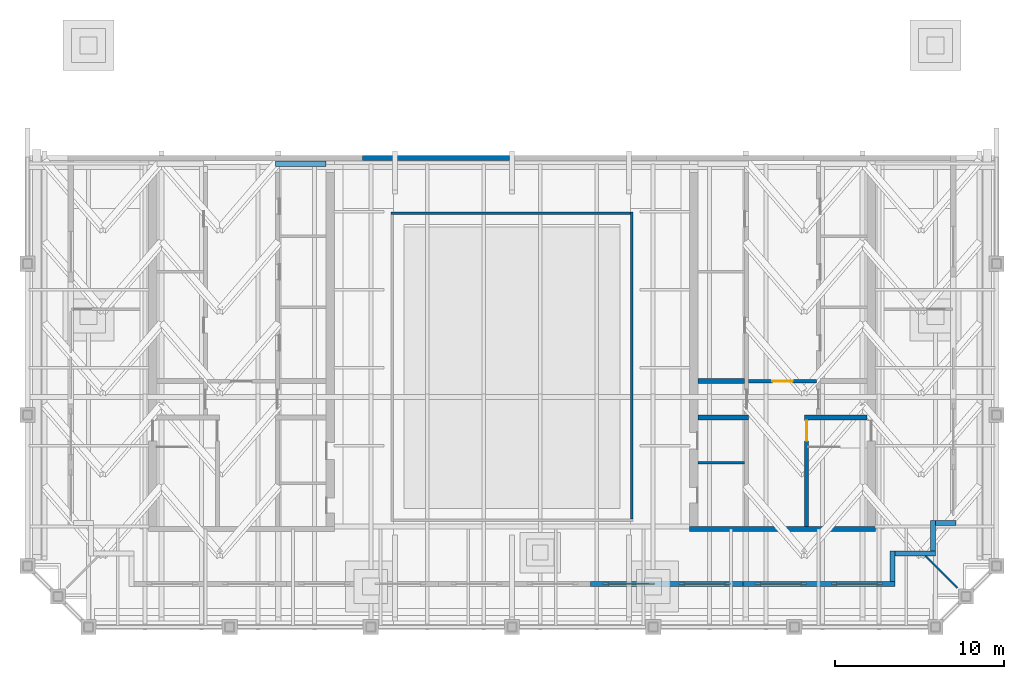
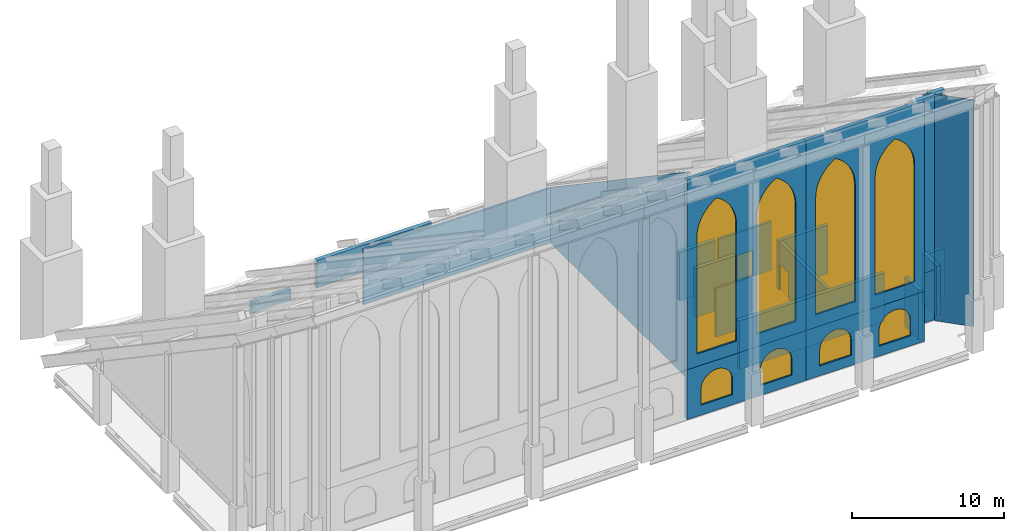
# One storey, part 6 of 9: 24 walls, 8 windows, 2 doors, 10 openings.
"""IFC4 building model written with IfcOpenShell, lengths in metres."""

from ifc_helpers import new_model, si_unit, direction, frame, frame_2d, origin, place, context, subcontext, project, spatial, polyline, rectangle, outline, extrude, material, layer, layer_set, type_object, element, fill, save


model = new_model("IFC4")

# Units and contexts
model_context = context("Model", 3, precision=1e-05, world=origin(), true_north=direction((0.0, 1.0)))
body_context = subcontext(model_context, "Body", "Model", "MODEL_VIEW")
ifc_project = project(units=[si_unit("LENGTHUNIT", "METRE"), si_unit("AREAUNIT", "SQUARE_METRE"), si_unit("VOLUMEUNIT", "CUBIC_METRE"), si_unit("PLANEANGLEUNIT", "RADIAN"), si_unit("MASSUNIT", "GRAM", prefix="KILO")], contexts=[model_context])

# Site, building, storey
site_placement = place(None, origin())
site = spatial("IfcSite", under=ifc_project, at=site_placement, CompositionType="ELEMENT")
building_placement = place(site_placement, origin())
building = spatial("IfcBuilding", under=site, at=building_placement, Name="Ogive Exchange Tower", CompositionType="ELEMENT")
storey_placement = place(building_placement, frame((0.0, 0.0, 394.199951171875)))
storey = spatial("IfcBuildingStorey", under=building, at=storey_placement, Name="C07", CompositionType="ELEMENT", Elevation=394.199951171875)

# Walls
ifc_material_1 = material(Name="Gypsum board partition")
ifc_layer_1 = layer(ifc_material_1, 0.14990234375)
ifc_layer_set_1 = layer_set([ifc_layer_1], Name="Core room partition 150 gypsum")
wall_type_1 = type_object("IfcWallType", Name="Core room partition 150 gypsum", PredefinedType="PARTITIONING", material=ifc_layer_set_1)
wall_1_placement = place(storey_placement, frame((11.0, 1.300048828125, 0.0), z_axis=(0.0, 0.0, 1.0), x_axis=(1.0, 0.0, 0.0)))
element("IfcWall", 1, at=wall_1_placement, inside=storey, type_object=wall_type_1, Name="E south room partition", PredefinedType="PARTITIONING", context=body_context, shape_type="SweptSolid", body=[
    extrude(rectangle(XDim=2.75, YDim=0.14990234375, at=frame_2d((1.375, 0.0))), origin(), (0.0, 0.0, 1.0), 3.900146484375),
])
ifc_layer_2 = layer(ifc_material_1, 0.300048828125)
ifc_layer_set_2 = layer_set([ifc_layer_2], Name="Core room partition 300 gypsum")
wall_type_2 = type_object("IfcWallType", Name="Core room partition 300 gypsum", PredefinedType="PARTITIONING", material=ifc_layer_set_2)
wall_2_placement = place(storey_placement, frame((-14.0, 19.0, 0.0), z_axis=(0.0, 0.0, 1.0), x_axis=(1.0, 0.0, 0.0)))
element("IfcWall", 2, at=wall_2_placement, inside=storey, type_object=wall_type_2, Name="W row B room end wall 7", PredefinedType="PARTITIONING", context=body_context, shape_type="SweptSolid", body=[
    extrude(outline(polyline([(0.0, 0.0), (3.0, 0.0), (3.0, 0.857666015625), (0.0, 0.857666015625), (0.0, 0.0)])), frame((0.0, 0.14990234375, 0.0), z_axis=(0.0, -1.0, 0.0), x_axis=(1.0, 0.0, 0.0)), (0.0, 0.0, 1.0), 0.300048828125),
])
ifc_material_2 = material(Name="Fire-resisting glass in steel frame", Category="steel")
ifc_layer_3 = layer(ifc_material_2, 0.14990234375)
ifc_layer_set_3 = layer_set([ifc_layer_3], Name="Fire-rated glazed wall 150")
wall_type_3 = type_object("IfcWallType", Name="Fire-rated glazed wall 150", PredefinedType="STANDARD", material=ifc_layer_set_3)
wall_3_placement = place(storey_placement, frame((-7.14990234375, 16.074951171875, 0.0), z_axis=(0.0, 0.0, 1.0), x_axis=(1.0, 0.0, 0.0)))
element("IfcWall", 3, at=wall_3_placement, inside=storey, type_object=wall_type_3, Name="Nave enclosure wall 2", PredefinedType="STANDARD", context=body_context, shape_type="SweptSolid", body=[
    extrude(rectangle(XDim=14.14990234375, YDim=0.14990234375, at=frame_2d((7.074951171875, 0.0))), origin(), (0.0, 0.0, 1.0), 4.40478515625),
])
wall_4_placement = place(storey_placement, frame((7.074951171875, 16.14990234375, 0.0), z_axis=(0.0, 0.0, 1.0), x_axis=(0.0, -1.0, 0.0)))
element("IfcWall", 4, at=wall_4_placement, inside=storey, type_object=wall_type_3, Name="Nave enclosure wall 3", PredefinedType="STANDARD", context=body_context, shape_type="SweptSolid", body=[
    extrude(outline(polyline([(0.0, 0.0), (18.14990234375, 0.0), (18.14990234375, 16.596435546875), (0.0, 4.354248046875), (0.0, 0.0)])), frame((0.0, 0.074951171875, 0.0), z_axis=(0.0, -1.0, 0.0), x_axis=(1.0, 0.0, 0.0)), (0.0, 0.0, 1.0), 0.14990234375),
])
ifc_material_3 = material(Name="Laminated safety glass in steel frame", Category="steel")
ifc_layer_4 = layer(ifc_material_3, 0.10009765625)
ifc_layer_set_4 = layer_set([ifc_layer_4], Name="Loggia end screen 100")
wall_type_4 = type_object("IfcWallType", Name="Loggia end screen 100", PredefinedType="STANDARD", material=ifc_layer_set_4)
wall_5_placement = place(storey_placement, frame((24.449951171875, -4.199951171875, -0.050048828125), z_axis=(0.0, 0.0, 1.0), x_axis=(0.707106781187, -0.707106781187, 0.0)))
element("IfcWall", 5, at=wall_5_placement, inside=storey, type_object=wall_type_4, Name="Loggia end screen C1", PredefinedType="STANDARD", context=body_context, shape_type="SweptSolid", body=[
    extrude(rectangle(XDim=2.667236328125, YDim=0.10009765625, at=frame_2d((1.33349609375, 0.0))), origin(), (0.0, 0.0, 1.0), 18.13037109375),
])

# Wall, opening, door
ifc_material_4 = material(Name="Concrete C70/85", Category="concrete")
ifc_layer_5 = layer(ifc_material_4, 0.199951171875)
ifc_layer_set_5 = layer_set([ifc_layer_5], Name="RC core wall 200 C70/85")
wall_type_5 = type_object("IfcWallType", Name="RC core wall 200 C70/85", PredefinedType="SHEAR", material=ifc_layer_set_5)
wall_6_placement = place(storey_placement, frame((14.0, 6.142822265625, 0.0), z_axis=(0.0, 0.0, 1.0), x_axis=(1.0, 0.0, 0.0)))
wall_6 = element("IfcWall", 6, at=wall_6_placement, inside=storey, type_object=wall_type_5, Name="E firefighting lobby wall", PredefinedType="SHEAR", context=body_context, shape_type="SweptSolid", body=[
    extrude(rectangle(XDim=4.0, YDim=0.199951171875, at=frame_2d((2.0, 0.0))), origin(), (0.0, 0.0, 1.0), 3.900146484375),
])
opening_1_placement = place(wall_6_placement, frame((1.39990234375, 0.0, 0.0)))
opening_1 = element("IfcOpeningElement", 7, at=opening_1_placement, cuts=wall_6, Name="Opening C07-C20", PredefinedType="OPENING", context=body_context, shape_type="SweptSolid", body=[
    extrude(rectangle(XDim=1.199951171875, YDim=2.10009765625, at=frame_2d((0.60009765625, 1.050048828125))), frame((0.0, 0.10986328125, 0.0), z_axis=(0.0, -1.0, 0.0), x_axis=(1.0, 0.0, 0.0)), (0.0, 0.0, 1.0), 0.219970703125),
])
ifc_material_5 = material(Name="Steel fire door", Category="steel")
door_type_1 = type_object("IfcDoorType", Name="Firefighting lobby door FD60 1200 x 2100", OperationType="NOTDEFINED", PredefinedType="DOOR", material=ifc_material_5)
door_1_placement = place(opening_1_placement, frame((1.199951171875, 0.0, 0.0), z_axis=(0.0, 0.0, 1.0), x_axis=(-1.0, 0.0, 0.0)))
door_1 = element("IfcDoor", 8, at=door_1_placement, inside=storey, type_object=door_type_1, Name="Firefighting lobby door", ObjectType="CD3", OperationType="SINGLE_SWING_LEFT", OverallHeight=2.10009765625, OverallWidth=1.199951171875, PredefinedType="DOOR", context=body_context, shape_type="SweptSolid", body=[
    extrude(rectangle(XDim=1.199951171875, YDim=2.10009765625, at=frame_2d((0.60009765625, 1.050048828125))), frame((0.0, 0.02490234375, 0.0), z_axis=(0.0, -1.0, 0.0), x_axis=(1.0, 0.0, 0.0)), (0.0, 0.0, 1.0), 0.050048828125),
])
fill(opening_1, door_1)

ifc_layer_6 = layer(ifc_material_4, 0.25)
ifc_layer_set_6 = layer_set([ifc_layer_6], Name="RC core wall 250 C70/85")
wall_type_6 = type_object("IfcWallType", Name="RC core wall 250 C70/85", PredefinedType="SHEAR", material=ifc_layer_set_6)
wall_7_placement = place(storey_placement, frame((17.425048828125, -2.449951171875, 0.0), z_axis=(0.0, 0.0, 1.0), x_axis=(0.0, 1.0, 0.0)))
wall_7 = element("IfcWall", 9, at=wall_7_placement, inside=storey, type_object=wall_type_6, Name="E stair S front wall", PredefinedType="SHEAR", context=body_context, shape_type="SweptSolid", body=[
    extrude(rectangle(XDim=6.300048828125, YDim=0.25, at=frame_2d((3.14990234375, 0.0))), origin(), (0.0, 0.0, 1.0), 3.900146484375),
])
opening_2_placement = place(wall_7_placement, frame((5.050048828125, 0.0, 0.0)))
opening_2 = element("IfcOpeningElement", 10, at=opening_2_placement, cuts=wall_7, Name="Opening C07-C21", PredefinedType="OPENING", context=body_context, shape_type="SweptSolid", body=[
    extrude(rectangle(XDim=1.199951171875, YDim=2.10009765625, at=frame_2d((0.60009765625, 1.050048828125))), frame((0.0, 0.135009765625, 0.0), z_axis=(0.0, -1.0, 0.0), x_axis=(1.0, 0.0, 0.0)), (0.0, 0.0, 1.0), 0.27001953125),
])
door_type_2 = type_object("IfcDoorType", Name="Stair door FD90 1200 x 2100", OperationType="NOTDEFINED", PredefinedType="DOOR", material=ifc_material_5)
door_2_placement = place(opening_2_placement, frame((1.199951171875, 0.0, 0.0), z_axis=(0.0, 0.0, 1.0), x_axis=(-1.0, 0.0, 0.0)))
door_2 = element("IfcDoor", 11, at=door_2_placement, inside=storey, type_object=door_type_2, Name="Stair door", ObjectType="CD5", OperationType="SINGLE_SWING_RIGHT", OverallHeight=2.10009765625, OverallWidth=1.199951171875, PredefinedType="DOOR", context=body_context, shape_type="SweptSolid", body=[
    extrude(rectangle(XDim=1.199951171875, YDim=2.10009765625, at=frame_2d((0.60009765625, 1.050048828125))), frame((0.0, 0.02490234375, 0.0), z_axis=(0.0, -1.0, 0.0), x_axis=(1.0, 0.0, 0.0)), (0.0, 0.0, 1.0), 0.050048828125),
])
fill(opening_2, door_2)

# Walls
ifc_layer_7 = layer(ifc_material_4, 0.300048828125)
ifc_layer_set_7 = layer_set([ifc_layer_7], Name="RC core wall 300 C70/85")
wall_type_7 = type_object("IfcWallType", Name="RC core wall 300 C70/85", PredefinedType="SHEAR", material=ifc_layer_set_7)
wall_8_placement = place(storey_placement, frame((10.5, -2.60009765625, 0.0), z_axis=(0.0, 0.0, 1.0), x_axis=(1.0, 0.0, 0.0)))
element("IfcWall", 12, at=wall_8_placement, inside=storey, type_object=wall_type_7, Name="E south end wall", PredefinedType="SHEAR", context=body_context, shape_type="SweptSolid", body=[
    extrude(rectangle(XDim=11.0, YDim=0.300048828125, at=frame_2d((5.5, 0.0))), origin(), (0.0, 0.0, 1.0), 3.900146484375),
])
wall_9_placement = place(storey_placement, frame((17.300048828125, 4.0, 0.0), z_axis=(0.0, 0.0, 1.0), x_axis=(1.0, 0.0, 0.0)))
element("IfcWall", 13, at=wall_9_placement, inside=storey, type_object=wall_type_7, Name="E stair S north wall", PredefinedType="SHEAR", context=body_context, shape_type="SweptSolid", body=[
    extrude(rectangle(XDim=3.699951171875, YDim=0.300048828125, at=frame_2d((1.85009765625, 0.0))), origin(), (0.0, 0.0, 1.0), 3.900146484375),
])
wall_10_placement = place(storey_placement, frame((11.0, 4.0, 0.0), z_axis=(0.0, 0.0, 1.0), x_axis=(1.0, 0.0, 0.0)))
element("IfcWall", 14, at=wall_10_placement, inside=storey, type_object=wall_type_7, Name="E row B divider 0", PredefinedType="SHEAR", context=body_context, shape_type="SweptSolid", body=[
    extrude(rectangle(XDim=3.0, YDim=0.300048828125, at=frame_2d((1.5, 0.0))), origin(), (0.0, 0.0, 1.0), 3.900146484375),
])
wall_11_placement = place(storey_placement, frame((11.0, 6.142822265625, 0.0), z_axis=(0.0, 0.0, 1.0), x_axis=(1.0, 0.0, 0.0)))
element("IfcWall", 15, at=wall_11_placement, inside=storey, type_object=wall_type_7, Name="E row B divider 1", PredefinedType="SHEAR", context=body_context, shape_type="SweptSolid", body=[
    extrude(rectangle(XDim=2.75, YDim=0.300048828125, at=frame_2d((1.375, 0.0))), origin(), (0.0, 0.0, 1.0), 3.900146484375),
])

# Wall, openings, windows
ifc_material_6 = material(Name="Precast concrete C40/50", Category="concrete")
ifc_layer_8 = layer(ifc_material_6, 0.300048828125)
ifc_layer_set_8 = layer_set([ifc_layer_8], Name="Zinc-clad crown wall 300")
wall_type_8 = type_object("IfcWallType", Name="Zinc-clad crown wall 300", PredefinedType="STANDARD", material=ifc_layer_set_8)
wall_12_placement = place(storey_placement, frame((4.64990234375, -5.85009765625, 0.0), z_axis=(0.0, 0.0, 1.0), x_axis=(1.0, 0.0, 0.0)))
wall_12 = element("IfcWall", 16, at=wall_12_placement, inside=storey, type_object=wall_type_8, Name="Crown wall 7", PredefinedType="STANDARD", context=body_context, shape_type="SweptSolid", body=[
    extrude(rectangle(XDim=9.0, YDim=0.300048828125, at=frame_2d((4.5, 0.0))), origin(), (0.0, 0.0, 1.0), 4.0),
])
opening_3_placement = place(wall_12_placement, frame((1.050048828125, 0.0, 0.800048828125)))
opening_3 = element("IfcOpeningElement", 17, at=opening_3_placement, cuts=wall_12, Name="Opening WC25", PredefinedType="OPENING", context=body_context, shape_type="SweptSolid", body=[
    extrude(outline(polyline([(0.0, 0.0), (2.39990234375, 0.0), (2.39990234375, 1.25), (2.377197265625, 1.48779296875), (2.3095703125, 1.717041015625), (2.19970703125, 1.928955078125), (2.05126953125, 2.116455078125), (1.8701171875, 2.272216796875), (1.662841796875, 2.390625), (1.4365234375, 2.467529296875), (1.199951171875, 2.5), (0.96337890625, 2.467529296875), (0.737060546875, 2.390625), (0.52978515625, 2.272216796875), (0.3486328125, 2.116455078125), (0.2001953125, 1.928955078125), (0.09033203125, 1.717041015625), (0.022705078125, 1.48779296875), (0.0, 1.25), (0.0, 0.0)])), frame((0.0, 0.159912109375, 0.0), z_axis=(0.0, -1.0, 0.0), x_axis=(1.0, 0.0, 0.0)), (0.0, 0.0, 1.0), 0.320068359375),
])
opening_4_placement = place(wall_12_placement, frame((5.550048828125, 0.0, 0.800048828125)))
opening_4 = element("IfcOpeningElement", 18, at=opening_4_placement, cuts=wall_12, Name="Opening WC25", PredefinedType="OPENING", context=body_context, shape_type="SweptSolid", body=[
    extrude(outline(polyline([(0.0, 0.0), (2.39990234375, 0.0), (2.39990234375, 1.25), (2.377197265625, 1.48779296875), (2.3095703125, 1.717041015625), (2.19970703125, 1.928955078125), (2.05126953125, 2.116455078125), (1.8701171875, 2.272216796875), (1.662841796875, 2.390625), (1.4365234375, 2.467529296875), (1.199951171875, 2.5), (0.96337890625, 2.467529296875), (0.737060546875, 2.390625), (0.52978515625, 2.272216796875), (0.3486328125, 2.116455078125), (0.2001953125, 1.928955078125), (0.09033203125, 1.717041015625), (0.022705078125, 1.48779296875), (0.0, 1.25), (0.0, 0.0)])), frame((0.0, 0.159912109375, 0.0), z_axis=(0.0, -1.0, 0.0), x_axis=(1.0, 0.0, 0.0)), (0.0, 0.0, 1.0), 0.320068359375),
])
ifc_material_7 = material(Name="Clear glass in bronze frame", Category="glass")
window_type_1 = type_object("IfcWindowType", Name="Crown lancet window 2400 x 2500", PartitioningType="DOUBLE_PANEL_VERTICAL", PredefinedType="WINDOW", material=ifc_material_7)
window_1_placement = place(opening_3_placement, origin())
window_1 = element("IfcWindow", 19, at=window_1_placement, inside=storey, type_object=window_type_1, Name="Crown lancet 7.1", OverallHeight=2.5, OverallWidth=2.39990234375, PartitioningType="DOUBLE_PANEL_VERTICAL", PredefinedType="WINDOW", context=body_context, shape_type="SweptSolid", body=[
    extrude(outline(polyline([(0.0, 0.0), (2.39990234375, 0.0), (2.39990234375, 1.25), (2.377197265625, 1.48779296875), (2.3095703125, 1.717041015625), (2.19970703125, 1.928955078125), (2.05126953125, 2.116455078125), (1.8701171875, 2.272216796875), (1.662841796875, 2.390625), (1.4365234375, 2.467529296875), (1.199951171875, 2.5), (0.96337890625, 2.467529296875), (0.737060546875, 2.390625), (0.52978515625, 2.272216796875), (0.3486328125, 2.116455078125), (0.2001953125, 1.928955078125), (0.09033203125, 1.717041015625), (0.022705078125, 1.48779296875), (0.0, 1.25), (0.0, 0.0)])), frame((0.0, 0.030029296875, 0.0), z_axis=(0.0, -1.0, 0.0), x_axis=(1.0, 0.0, 0.0)), (0.0, 0.0, 1.0), 0.06005859375),
])
fill(opening_3, window_1)
window_2_placement = place(opening_4_placement, origin())
window_2 = element("IfcWindow", 20, at=window_2_placement, inside=storey, type_object=window_type_1, Name="Crown lancet 7.2", OverallHeight=2.5, OverallWidth=2.39990234375, PartitioningType="DOUBLE_PANEL_VERTICAL", PredefinedType="WINDOW", context=body_context, shape_type="SweptSolid", body=[
    extrude(outline(polyline([(0.0, 0.0), (2.39990234375, 0.0), (2.39990234375, 1.25), (2.377197265625, 1.48779296875), (2.3095703125, 1.717041015625), (2.19970703125, 1.928955078125), (2.05126953125, 2.116455078125), (1.8701171875, 2.272216796875), (1.662841796875, 2.390625), (1.4365234375, 2.467529296875), (1.199951171875, 2.5), (0.96337890625, 2.467529296875), (0.737060546875, 2.390625), (0.52978515625, 2.272216796875), (0.3486328125, 2.116455078125), (0.2001953125, 1.928955078125), (0.09033203125, 1.717041015625), (0.022705078125, 1.48779296875), (0.0, 1.25), (0.0, 0.0)])), frame((0.0, 0.030029296875, 0.0), z_axis=(0.0, -1.0, 0.0), x_axis=(1.0, 0.0, 0.0)), (0.0, 0.0, 1.0), 0.06005859375),
])
fill(opening_4, window_2)

wall_13_placement = place(storey_placement, frame((4.64990234375, -5.85009765625, 4.0), z_axis=(0.0, 0.0, 1.0), x_axis=(1.0, 0.0, 0.0)))
wall_13 = element("IfcWall", 21, at=wall_13_placement, inside=storey, type_object=wall_type_8, Name="Crown clerestory wall 7", PredefinedType="STANDARD", context=body_context, shape_type="SweptSolid", body=[
    extrude(rectangle(XDim=9.0, YDim=0.300048828125, at=frame_2d((4.5, 0.0))), origin(), (0.0, 0.0, 1.0), 15.193359375),
])
opening_5_placement = place(wall_13_placement, frame((0.75, 0.0, 1.0)))
opening_5 = element("IfcOpeningElement", 22, at=opening_5_placement, cuts=wall_13, Name="Opening WC120", PredefinedType="OPENING", context=body_context, shape_type="SweptSolid", body=[
    extrude(outline(polyline([(0.0, 0.0), (3.0, 0.0), (3.0, 9.402099609375), (2.974365234375, 9.793701171875), (2.897705078125, 10.178466796875), (2.771728515625, 10.550048828125), (2.59814453125, 10.902099609375), (2.380126953125, 11.228271484375), (2.121337890625, 11.523193359375), (1.826171875, 11.781982421875), (1.5, 12.0), (1.173828125, 11.781982421875), (0.878662109375, 11.523193359375), (0.619873046875, 11.228271484375), (0.40185546875, 10.902099609375), (0.228271484375, 10.550048828125), (0.102294921875, 10.178466796875), (0.025634765625, 9.793701171875), (0.0, 9.402099609375), (0.0, 0.0)])), frame((0.0, 0.159912109375, 0.0), z_axis=(0.0, -1.0, 0.0), x_axis=(1.0, 0.0, 0.0)), (0.0, 0.0, 1.0), 0.320068359375),
])
opening_6_placement = place(wall_13_placement, frame((5.25, 0.0, 1.0)))
opening_6 = element("IfcOpeningElement", 23, at=opening_6_placement, cuts=wall_13, Name="Opening WC120", PredefinedType="OPENING", context=body_context, shape_type="SweptSolid", body=[
    extrude(outline(polyline([(0.0, 0.0), (3.0, 0.0), (3.0, 9.402099609375), (2.974365234375, 9.793701171875), (2.897705078125, 10.178466796875), (2.771728515625, 10.550048828125), (2.59814453125, 10.902099609375), (2.380126953125, 11.228271484375), (2.121337890625, 11.523193359375), (1.826171875, 11.781982421875), (1.5, 12.0), (1.173828125, 11.781982421875), (0.878662109375, 11.523193359375), (0.619873046875, 11.228271484375), (0.40185546875, 10.902099609375), (0.228271484375, 10.550048828125), (0.102294921875, 10.178466796875), (0.025634765625, 9.793701171875), (0.0, 9.402099609375), (0.0, 0.0)])), frame((0.0, 0.159912109375, 0.0), z_axis=(0.0, -1.0, 0.0), x_axis=(1.0, 0.0, 0.0)), (0.0, 0.0, 1.0), 0.320068359375),
])
window_type_2 = type_object("IfcWindowType", Name="Crown lancet window 3000 x 12000", PartitioningType="DOUBLE_PANEL_VERTICAL", PredefinedType="WINDOW", material=ifc_material_7)
window_3_placement = place(opening_5_placement, origin())
window_3 = element("IfcWindow", 24, at=window_3_placement, inside=storey, type_object=window_type_2, Name="Crown lancet 7.1", OverallHeight=12.0, OverallWidth=3.0, PartitioningType="DOUBLE_PANEL_VERTICAL", PredefinedType="WINDOW", context=body_context, shape_type="SweptSolid", body=[
    extrude(outline(polyline([(0.0, 0.0), (3.0, 0.0), (3.0, 9.402099609375), (2.974365234375, 9.793701171875), (2.897705078125, 10.178466796875), (2.771728515625, 10.550048828125), (2.59814453125, 10.902099609375), (2.380126953125, 11.228271484375), (2.121337890625, 11.523193359375), (1.826171875, 11.781982421875), (1.5, 12.0), (1.173828125, 11.781982421875), (0.878662109375, 11.523193359375), (0.619873046875, 11.228271484375), (0.40185546875, 10.902099609375), (0.228271484375, 10.550048828125), (0.102294921875, 10.178466796875), (0.025634765625, 9.793701171875), (0.0, 9.402099609375), (0.0, 0.0)])), frame((0.0, 0.030029296875, 0.0), z_axis=(0.0, -1.0, 0.0), x_axis=(1.0, 0.0, 0.0)), (0.0, 0.0, 1.0), 0.06005859375),
])
fill(opening_5, window_3)
window_4_placement = place(opening_6_placement, origin())
window_4 = element("IfcWindow", 25, at=window_4_placement, inside=storey, type_object=window_type_2, Name="Crown lancet 7.2", OverallHeight=12.0, OverallWidth=3.0, PartitioningType="DOUBLE_PANEL_VERTICAL", PredefinedType="WINDOW", context=body_context, shape_type="SweptSolid", body=[
    extrude(outline(polyline([(0.0, 0.0), (3.0, 0.0), (3.0, 9.402099609375), (2.974365234375, 9.793701171875), (2.897705078125, 10.178466796875), (2.771728515625, 10.550048828125), (2.59814453125, 10.902099609375), (2.380126953125, 11.228271484375), (2.121337890625, 11.523193359375), (1.826171875, 11.781982421875), (1.5, 12.0), (1.173828125, 11.781982421875), (0.878662109375, 11.523193359375), (0.619873046875, 11.228271484375), (0.40185546875, 10.902099609375), (0.228271484375, 10.550048828125), (0.102294921875, 10.178466796875), (0.025634765625, 9.793701171875), (0.0, 9.402099609375), (0.0, 0.0)])), frame((0.0, 0.030029296875, 0.0), z_axis=(0.0, -1.0, 0.0), x_axis=(1.0, 0.0, 0.0)), (0.0, 0.0, 1.0), 0.06005859375),
])
fill(opening_6, window_4)

wall_14_placement = place(storey_placement, frame((13.64990234375, -5.85009765625, 0.0), z_axis=(0.0, 0.0, 1.0), x_axis=(1.0, 0.0, 0.0)))
wall_14 = element("IfcWall", 26, at=wall_14_placement, inside=storey, type_object=wall_type_8, Name="Crown wall 8", PredefinedType="STANDARD", context=body_context, shape_type="SweptSolid", body=[
    extrude(rectangle(XDim=9.0, YDim=0.300048828125, at=frame_2d((4.5, 0.0))), origin(), (0.0, 0.0, 1.0), 4.0),
])
opening_7_placement = place(wall_14_placement, frame((1.050048828125, 0.0, 0.800048828125)))
opening_7 = element("IfcOpeningElement", 27, at=opening_7_placement, cuts=wall_14, Name="Opening WC25", PredefinedType="OPENING", context=body_context, shape_type="SweptSolid", body=[
    extrude(outline(polyline([(0.0, 0.0), (2.39990234375, 0.0), (2.39990234375, 1.25), (2.377197265625, 1.48779296875), (2.3095703125, 1.717041015625), (2.19970703125, 1.928955078125), (2.05126953125, 2.116455078125), (1.8701171875, 2.272216796875), (1.662841796875, 2.390625), (1.4365234375, 2.467529296875), (1.199951171875, 2.5), (0.96337890625, 2.467529296875), (0.737060546875, 2.390625), (0.52978515625, 2.272216796875), (0.3486328125, 2.116455078125), (0.2001953125, 1.928955078125), (0.09033203125, 1.717041015625), (0.022705078125, 1.48779296875), (0.0, 1.25), (0.0, 0.0)])), frame((0.0, 0.159912109375, 0.0), z_axis=(0.0, -1.0, 0.0), x_axis=(1.0, 0.0, 0.0)), (0.0, 0.0, 1.0), 0.320068359375),
])
opening_8_placement = place(wall_14_placement, frame((5.550048828125, 0.0, 0.800048828125)))
opening_8 = element("IfcOpeningElement", 28, at=opening_8_placement, cuts=wall_14, Name="Opening WC25", PredefinedType="OPENING", context=body_context, shape_type="SweptSolid", body=[
    extrude(outline(polyline([(0.0, 0.0), (2.39990234375, 0.0), (2.39990234375, 1.25), (2.377197265625, 1.48779296875), (2.3095703125, 1.717041015625), (2.19970703125, 1.928955078125), (2.05126953125, 2.116455078125), (1.8701171875, 2.272216796875), (1.662841796875, 2.390625), (1.4365234375, 2.467529296875), (1.199951171875, 2.5), (0.96337890625, 2.467529296875), (0.737060546875, 2.390625), (0.52978515625, 2.272216796875), (0.3486328125, 2.116455078125), (0.2001953125, 1.928955078125), (0.09033203125, 1.717041015625), (0.022705078125, 1.48779296875), (0.0, 1.25), (0.0, 0.0)])), frame((0.0, 0.159912109375, 0.0), z_axis=(0.0, -1.0, 0.0), x_axis=(1.0, 0.0, 0.0)), (0.0, 0.0, 1.0), 0.320068359375),
])
window_5_placement = place(opening_7_placement, origin())
window_5 = element("IfcWindow", 29, at=window_5_placement, inside=storey, type_object=window_type_1, Name="Crown lancet 8.1", OverallHeight=2.5, OverallWidth=2.39990234375, PartitioningType="DOUBLE_PANEL_VERTICAL", PredefinedType="WINDOW", context=body_context, shape_type="SweptSolid", body=[
    extrude(outline(polyline([(0.0, 0.0), (2.39990234375, 0.0), (2.39990234375, 1.25), (2.377197265625, 1.48779296875), (2.3095703125, 1.717041015625), (2.19970703125, 1.928955078125), (2.05126953125, 2.116455078125), (1.8701171875, 2.272216796875), (1.662841796875, 2.390625), (1.4365234375, 2.467529296875), (1.199951171875, 2.5), (0.96337890625, 2.467529296875), (0.737060546875, 2.390625), (0.52978515625, 2.272216796875), (0.3486328125, 2.116455078125), (0.2001953125, 1.928955078125), (0.09033203125, 1.717041015625), (0.022705078125, 1.48779296875), (0.0, 1.25), (0.0, 0.0)])), frame((0.0, 0.030029296875, 0.0), z_axis=(0.0, -1.0, 0.0), x_axis=(1.0, 0.0, 0.0)), (0.0, 0.0, 1.0), 0.06005859375),
])
fill(opening_7, window_5)
window_6_placement = place(opening_8_placement, origin())
window_6 = element("IfcWindow", 30, at=window_6_placement, inside=storey, type_object=window_type_1, Name="Crown lancet 8.2", OverallHeight=2.5, OverallWidth=2.39990234375, PartitioningType="DOUBLE_PANEL_VERTICAL", PredefinedType="WINDOW", context=body_context, shape_type="SweptSolid", body=[
    extrude(outline(polyline([(0.0, 0.0), (2.39990234375, 0.0), (2.39990234375, 1.25), (2.377197265625, 1.48779296875), (2.3095703125, 1.717041015625), (2.19970703125, 1.928955078125), (2.05126953125, 2.116455078125), (1.8701171875, 2.272216796875), (1.662841796875, 2.390625), (1.4365234375, 2.467529296875), (1.199951171875, 2.5), (0.96337890625, 2.467529296875), (0.737060546875, 2.390625), (0.52978515625, 2.272216796875), (0.3486328125, 2.116455078125), (0.2001953125, 1.928955078125), (0.09033203125, 1.717041015625), (0.022705078125, 1.48779296875), (0.0, 1.25), (0.0, 0.0)])), frame((0.0, 0.030029296875, 0.0), z_axis=(0.0, -1.0, 0.0), x_axis=(1.0, 0.0, 0.0)), (0.0, 0.0, 1.0), 0.06005859375),
])
fill(opening_8, window_6)

wall_15_placement = place(storey_placement, frame((13.64990234375, -5.85009765625, 4.0), z_axis=(0.0, 0.0, 1.0), x_axis=(1.0, 0.0, 0.0)))
wall_15 = element("IfcWall", 31, at=wall_15_placement, inside=storey, type_object=wall_type_8, Name="Crown clerestory wall 8", PredefinedType="STANDARD", context=body_context, shape_type="SweptSolid", body=[
    extrude(rectangle(XDim=9.0, YDim=0.300048828125, at=frame_2d((4.5, 0.0))), origin(), (0.0, 0.0, 1.0), 15.193359375),
])
opening_9_placement = place(wall_15_placement, frame((0.75, 0.0, 1.0)))
opening_9 = element("IfcOpeningElement", 32, at=opening_9_placement, cuts=wall_15, Name="Opening WC120", PredefinedType="OPENING", context=body_context, shape_type="SweptSolid", body=[
    extrude(outline(polyline([(0.0, 0.0), (3.0, 0.0), (3.0, 9.402099609375), (2.974365234375, 9.793701171875), (2.897705078125, 10.178466796875), (2.771728515625, 10.550048828125), (2.59814453125, 10.902099609375), (2.380126953125, 11.228271484375), (2.121337890625, 11.523193359375), (1.826171875, 11.781982421875), (1.5, 12.0), (1.173828125, 11.781982421875), (0.878662109375, 11.523193359375), (0.619873046875, 11.228271484375), (0.40185546875, 10.902099609375), (0.228271484375, 10.550048828125), (0.102294921875, 10.178466796875), (0.025634765625, 9.793701171875), (0.0, 9.402099609375), (0.0, 0.0)])), frame((0.0, 0.159912109375, 0.0), z_axis=(0.0, -1.0, 0.0), x_axis=(1.0, 0.0, 0.0)), (0.0, 0.0, 1.0), 0.320068359375),
])
opening_10_placement = place(wall_15_placement, frame((5.25, 0.0, 1.0)))
opening_10 = element("IfcOpeningElement", 33, at=opening_10_placement, cuts=wall_15, Name="Opening WC120", PredefinedType="OPENING", context=body_context, shape_type="SweptSolid", body=[
    extrude(outline(polyline([(0.0, 0.0), (3.0, 0.0), (3.0, 9.402099609375), (2.974365234375, 9.793701171875), (2.897705078125, 10.178466796875), (2.771728515625, 10.550048828125), (2.59814453125, 10.902099609375), (2.380126953125, 11.228271484375), (2.121337890625, 11.523193359375), (1.826171875, 11.781982421875), (1.5, 12.0), (1.173828125, 11.781982421875), (0.878662109375, 11.523193359375), (0.619873046875, 11.228271484375), (0.40185546875, 10.902099609375), (0.228271484375, 10.550048828125), (0.102294921875, 10.178466796875), (0.025634765625, 9.793701171875), (0.0, 9.402099609375), (0.0, 0.0)])), frame((0.0, 0.159912109375, 0.0), z_axis=(0.0, -1.0, 0.0), x_axis=(1.0, 0.0, 0.0)), (0.0, 0.0, 1.0), 0.320068359375),
])
window_7_placement = place(opening_9_placement, origin())
window_7 = element("IfcWindow", 34, at=window_7_placement, inside=storey, type_object=window_type_2, Name="Crown lancet 8.1", OverallHeight=12.0, OverallWidth=3.0, PartitioningType="DOUBLE_PANEL_VERTICAL", PredefinedType="WINDOW", context=body_context, shape_type="SweptSolid", body=[
    extrude(outline(polyline([(0.0, 0.0), (3.0, 0.0), (3.0, 9.402099609375), (2.974365234375, 9.793701171875), (2.897705078125, 10.178466796875), (2.771728515625, 10.550048828125), (2.59814453125, 10.902099609375), (2.380126953125, 11.228271484375), (2.121337890625, 11.523193359375), (1.826171875, 11.781982421875), (1.5, 12.0), (1.173828125, 11.781982421875), (0.878662109375, 11.523193359375), (0.619873046875, 11.228271484375), (0.40185546875, 10.902099609375), (0.228271484375, 10.550048828125), (0.102294921875, 10.178466796875), (0.025634765625, 9.793701171875), (0.0, 9.402099609375), (0.0, 0.0)])), frame((0.0, 0.030029296875, 0.0), z_axis=(0.0, -1.0, 0.0), x_axis=(1.0, 0.0, 0.0)), (0.0, 0.0, 1.0), 0.06005859375),
])
fill(opening_9, window_7)
window_8_placement = place(opening_10_placement, origin())
window_8 = element("IfcWindow", 35, at=window_8_placement, inside=storey, type_object=window_type_2, Name="Crown lancet 8.2", OverallHeight=12.0, OverallWidth=3.0, PartitioningType="DOUBLE_PANEL_VERTICAL", PredefinedType="WINDOW", context=body_context, shape_type="SweptSolid", body=[
    extrude(outline(polyline([(0.0, 0.0), (3.0, 0.0), (3.0, 9.402099609375), (2.974365234375, 9.793701171875), (2.897705078125, 10.178466796875), (2.771728515625, 10.550048828125), (2.59814453125, 10.902099609375), (2.380126953125, 11.228271484375), (2.121337890625, 11.523193359375), (1.826171875, 11.781982421875), (1.5, 12.0), (1.173828125, 11.781982421875), (0.878662109375, 11.523193359375), (0.619873046875, 11.228271484375), (0.40185546875, 10.902099609375), (0.228271484375, 10.550048828125), (0.102294921875, 10.178466796875), (0.025634765625, 9.793701171875), (0.0, 9.402099609375), (0.0, 0.0)])), frame((0.0, 0.030029296875, 0.0), z_axis=(0.0, -1.0, 0.0), x_axis=(1.0, 0.0, 0.0)), (0.0, 0.0, 1.0), 0.06005859375),
])
fill(opening_10, window_8)

# Walls
wall_16_placement = place(storey_placement, frame((22.5, -5.699951171875, 0.0), z_axis=(0.0, 0.0, 1.0), x_axis=(0.0, 1.0, 0.0)))
element("IfcWall", 36, at=wall_16_placement, inside=storey, type_object=wall_type_8, Name="Crown wall 9", PredefinedType="STANDARD", context=body_context, shape_type="SweptSolid", body=[
    extrude(rectangle(XDim=1.800048828125, YDim=0.300048828125, at=frame_2d((0.89990234375, 0.0))), origin(), (0.0, 0.0, 1.0), 4.0),
])
wall_17_placement = place(storey_placement, frame((22.5, -5.699951171875, 4.0), z_axis=(0.0, 0.0, 1.0), x_axis=(0.0, 1.0, 0.0)))
element("IfcWall", 37, at=wall_17_placement, inside=storey, type_object=wall_type_8, Name="Crown clerestory wall 9", PredefinedType="STANDARD", context=body_context, shape_type="SweptSolid", body=[
    extrude(outline(polyline([(0.0, 0.0), (1.800048828125, 0.0), (1.800048828125, 13.8779296875), (0.0, 15.092041015625), (0.0, 0.0)])), frame((0.0, 0.14990234375, 0.0), z_axis=(0.0, -1.0, 0.0), x_axis=(1.0, 0.0, 0.0)), (0.0, 0.0, 1.0), 0.300048828125),
])
wall_18_placement = place(storey_placement, frame((22.64990234375, -4.050048828125, 0.0), z_axis=(0.0, 0.0, 1.0), x_axis=(1.0, 0.0, 0.0)))
element("IfcWall", 38, at=wall_18_placement, inside=storey, type_object=wall_type_8, Name="Crown wall 10", PredefinedType="STANDARD", context=body_context, shape_type="SweptSolid", body=[
    extrude(rectangle(XDim=2.400146484375, YDim=0.300048828125, at=frame_2d((1.2001953125, 0.0))), origin(), (0.0, 0.0, 1.0), 4.0),
])
wall_19_placement = place(storey_placement, frame((22.64990234375, -4.050048828125, 4.0), z_axis=(0.0, 0.0, 1.0), x_axis=(1.0, 0.0, 0.0)))
element("IfcWall", 39, at=wall_19_placement, inside=storey, type_object=wall_type_8, Name="Crown clerestory wall 10", PredefinedType="STANDARD", context=body_context, shape_type="SweptSolid", body=[
    extrude(rectangle(XDim=2.400146484375, YDim=0.300048828125, at=frame_2d((1.2001953125, 0.0))), origin(), (0.0, 0.0, 1.0), 13.979248046875),
])
wall_20_placement = place(storey_placement, frame((24.89990234375, -3.89990234375, 0.0), z_axis=(0.0, 0.0, 1.0), x_axis=(0.0, 1.0, 0.0)))
element("IfcWall", 40, at=wall_20_placement, inside=storey, type_object=wall_type_8, Name="Crown wall 11", PredefinedType="STANDARD", context=body_context, shape_type="SweptSolid", body=[
    extrude(rectangle(XDim=1.7998046875, YDim=0.300048828125, at=frame_2d((0.89990234375, 0.0))), origin(), (0.0, 0.0, 1.0), 4.0),
])
wall_21_placement = place(storey_placement, frame((24.89990234375, -3.89990234375, 4.0), z_axis=(0.0, 0.0, 1.0), x_axis=(0.0, 1.0, 0.0)))
element("IfcWall", 41, at=wall_21_placement, inside=storey, type_object=wall_type_8, Name="Crown clerestory wall 11", PredefinedType="STANDARD", context=body_context, shape_type="SweptSolid", body=[
    extrude(outline(polyline([(0.0, 0.0), (1.7998046875, 0.0), (1.800048828125, 12.6640625), (0.0, 13.8779296875), (0.0, 0.0)])), frame((0.0, 0.14990234375, 0.0), z_axis=(0.0, -1.0, 0.0), x_axis=(1.0, 0.0, 0.0)), (0.0, 0.0, 1.0), 0.300048828125),
])
wall_22_placement = place(storey_placement, frame((25.050048828125, -2.25, 0.0), z_axis=(0.0, 0.0, 1.0), x_axis=(1.0, 0.0, 0.0)))
element("IfcWall", 42, at=wall_22_placement, inside=storey, type_object=wall_type_8, Name="Crown wall 12", PredefinedType="STANDARD", context=body_context, shape_type="SweptSolid", body=[
    extrude(rectangle(XDim=1.199951171875, YDim=0.300048828125, at=frame_2d((0.60009765625, 0.0))), origin(), (0.0, 0.0, 1.0), 4.0),
])
wall_23_placement = place(storey_placement, frame((25.050048828125, -2.25, 4.0), z_axis=(0.0, 0.0, 1.0), x_axis=(1.0, 0.0, 0.0)))
element("IfcWall", 43, at=wall_23_placement, inside=storey, type_object=wall_type_8, Name="Crown clerestory wall 12", PredefinedType="STANDARD", context=body_context, shape_type="SweptSolid", body=[
    extrude(rectangle(XDim=1.199951171875, YDim=0.300048828125, at=frame_2d((0.60009765625, 0.0))), origin(), (0.0, 0.0, 1.0), 12.76513671875),
])
wall_24_placement = place(storey_placement, frame((-0.14990234375, 19.343994140625, 0.0), z_axis=(0.0, 0.0, 1.0), x_axis=(-1.0, 0.0, 0.0)))
element("IfcWall", 44, at=wall_24_placement, inside=storey, type_object=wall_type_8, Name="Crown wall 19", PredefinedType="STANDARD", context=body_context, shape_type="SweptSolid", body=[
    extrude(rectangle(XDim=8.7001953125, YDim=0.300048828125, at=frame_2d((4.35009765625, 0.0))), origin(), (0.0, 0.0, 1.0), 2.19970703125),
])

save(model, "model.ifc")
